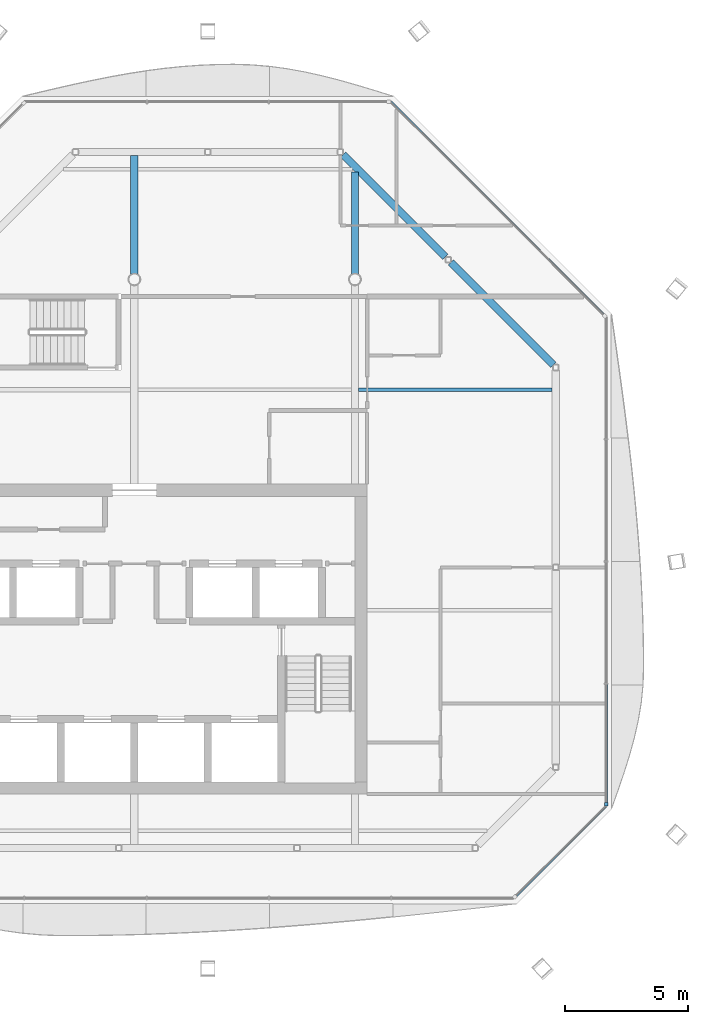
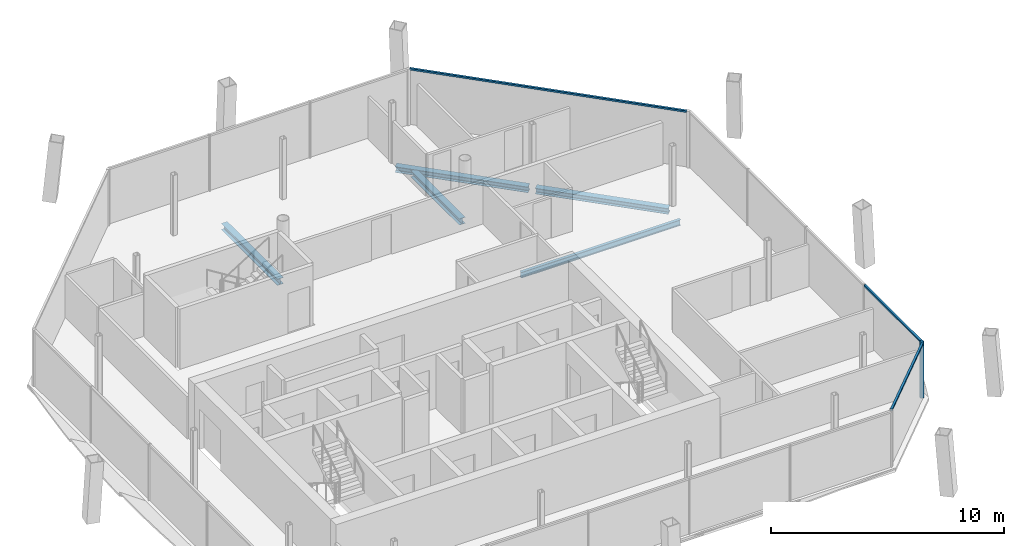
# One storey, part 6 of 14: 5 beams, 4 members, 3 elements without a shape of their own.
"""IFC4 building model written with IfcOpenShell, lengths in metres."""

from ifc_helpers import new_model, si_unit, direction, frame, origin, origin_2d, place, context, subcontext, project, spatial, rectangle, i_section, extrude, material, material_profile, profile_set, type_object, element, aggregate, save


model = new_model("IFC4")

# Units and contexts
model_context = context("Model", 3, precision=1e-05, world=origin(), true_north=direction((0.0, 1.0)))
body_context = subcontext(model_context, "Body", "Model", "MODEL_VIEW")
ifc_project = project(units=[si_unit("LENGTHUNIT", "METRE"), si_unit("AREAUNIT", "SQUARE_METRE"), si_unit("VOLUMEUNIT", "CUBIC_METRE"), si_unit("PLANEANGLEUNIT", "RADIAN"), si_unit("MASSUNIT", "GRAM", prefix="KILO")], contexts=[model_context])

# Site, building, storey
site_placement = place(None, origin())
site = spatial("IfcSite", under=ifc_project, at=site_placement, CompositionType="ELEMENT")
building_placement = place(site_placement, origin())
building = spatial("IfcBuilding", under=site, at=building_placement, Name="Tskaro Facet Tower", CompositionType="ELEMENT")
storey_placement = place(building_placement, frame((0.0, 0.0, 272.10009765625)))
storey = spatial("IfcBuildingStorey", under=building, at=storey_placement, Name="L72", CompositionType="ELEMENT", Elevation=272.10009765625)

# Curtain wall, member
ifc_material_1 = material(Name="Bronze anodised aluminium 6063-T6", Category="aluminium")
curtain_wall_type = type_object("IfcCurtainWallType", Name="Bronze residence curtain wall (FW3)", PredefinedType="NOTDEFINED", material=ifc_material_1)
curtain_wall_1_placement = place(storey_placement, origin())
curtain_wall_1 = element("IfcCurtainWall", 1, at=curtain_wall_1_placement, inside=storey, type_object=curtain_wall_type, Name="FW3 east facet L72", PredefinedType="NOTDEFINED")
ifc_material_profile_1 = material_profile(ifc_material_1, rectangle(XDim=0.139892578125, YDim=0.139892578125, at=origin_2d()), Name="Corner post 140x140")
ifc_profile_set_1 = profile_set([ifc_material_profile_1], Name="Bronze anodised aluminium 6063-T6")
member_type_1 = type_object("IfcMemberType", Name="FW3 bronze corner post 140x140", PredefinedType="MULLION", material=ifc_profile_set_1)
member_1_placement = place(storey_placement, frame((19.24609375, -12.408935546875, 0.0), z_axis=(0.0, 0.0, 1.0), x_axis=(0.0, 1.0, 0.0)))
member_1 = element("IfcMember", 2, at=member_1_placement, type_object=member_type_1, Name="FW3 east corner post", PredefinedType="MULLION", context=body_context, shape_type="SweptSolid", body=[
    extrude(rectangle(XDim=0.139892578125, YDim=0.139892578125, at=origin_2d()), origin(), (0.0, 0.0, 1.0), 2.949951171875),
])

curtain_wall_2_placement = place(storey_placement, origin())
curtain_wall_2 = element("IfcCurtainWall", 3, at=curtain_wall_2_placement, inside=storey, type_object=curtain_wall_type, Name="FW3 south-east facet L72", PredefinedType="NOTDEFINED")
ifc_material_profile_2 = material_profile(ifc_material_1, rectangle(XDim=0.10009765625, YDim=0.090087890625, at=origin_2d()), Name="Transom 100x90")
ifc_profile_set_2 = profile_set([ifc_material_profile_2], Name="Bronze anodised aluminium 6063-T6")
member_type_2 = type_object("IfcMemberType", Name="FW3 bronze transom 100x90", PredefinedType="USERDEFINED", material=ifc_profile_set_2)
member_2_placement = place(storey_placement, frame((15.577880859375, -16.14697265625, 2.90478515625), z_axis=(0.707130312586, 0.707083249004, 0.0), x_axis=(-0.707083249004, 0.707130312586, 0.0)))
member_2 = element("IfcMember", 4, at=member_2_placement, type_object=member_type_2, Name="FW3 south-east transom 1.1", ObjectType="TRANSOM", PredefinedType="USERDEFINED", context=body_context, shape_type="SweptSolid", body=[
    extrude(rectangle(XDim=0.10009765625, YDim=0.090087890625, at=origin_2d()), origin(), (0.0, 0.0, 1.0), 5.1875),
])
aggregate(curtain_wall_2, [member_2])

# Member
member_3_placement = place(storey_placement, frame((19.24609375, -12.339111328125, 2.90478515625), z_axis=(0.0, 1.0, 0.0), x_axis=(-1.0, 0.0, 0.0)))
member_3 = element("IfcMember", 5, at=member_3_placement, type_object=member_type_2, Name="FW3 east transom 1.1", ObjectType="TRANSOM", PredefinedType="USERDEFINED", context=body_context, shape_type="SweptSolid", body=[
    extrude(rectangle(XDim=0.10009765625, YDim=0.090087890625, at=origin_2d()), origin(), (0.0, 0.0, 1.0), 4.819091796875),
])

aggregate(curtain_wall_1, [member_1, member_3])

# Curtain wall, member
curtain_wall_3_placement = place(storey_placement, origin())
curtain_wall_3 = element("IfcCurtainWall", 6, at=curtain_wall_3_placement, inside=storey, type_object=curtain_wall_type, Name="FW3 north-east facet L72", PredefinedType="NOTDEFINED")
member_4_placement = place(storey_placement, frame((19.14697265625, 7.555908203125, 2.90478515625), z_axis=(-0.707096848307, 0.707116713926, 0.0), x_axis=(-0.707116713926, -0.707096848307, 0.0)))
member_4 = element("IfcMember", 7, at=member_4_placement, type_object=member_type_2, Name="FW3 north-east transom 1.1", ObjectType="TRANSOM", PredefinedType="USERDEFINED", context=body_context, shape_type="SweptSolid", body=[
    extrude(rectangle(XDim=0.10009765625, YDim=0.090087890625, at=origin_2d()), origin(), (0.0, 0.0, 1.0), 12.28955078125),
])
aggregate(curtain_wall_3, [member_4])

# Beams
ifc_material_2 = material(Name="Steel S355J2", Category="steel")
ifc_material_profile_3 = material_profile(ifc_material_2, i_section(OverallWidth=0.300048828125, OverallDepth=0.300048828125, WebThickness=0.010986328125, FlangeThickness=0.01904296875, FilletRadius=0.027099609375, at=origin_2d()), Name="HE 300 B")
ifc_profile_set_3 = profile_set([ifc_material_profile_3], Name="Steel S355J2")
beam_type_1 = type_object("IfcBeamType", Name="HE 300 B ring beam", PredefinedType="BEAM", material=ifc_profile_set_3)
for number, where, z_axis, x_axis, name in (
    (8, (17.089111328125, 5.513916015625, -0.2900390625), (-0.707024112481, 0.707189440228, 0.0), (-0.707189440228, -0.707024112481, 0.0), "HE 300 B EB7-6"),
    (9, (12.691162109375, 9.912841796875, -0.2900390625), (-0.707189440228, 0.707024112481, 0.0), (-0.707024112481, -0.707189440228, 0.0), "HE 300 B EB8-6"),
):
    element("IfcBeam", number, at=place(storey_placement, frame(where, z_axis=z_axis, x_axis=x_axis)), inside=storey, type_object=beam_type_1, Name=name, PredefinedType="BEAM", context=body_context, shape_type="SweptSolid", body=[
        extrude(i_section(OverallWidth=0.300048828125, OverallDepth=0.300048828125, WebThickness=0.010986328125, FlangeThickness=0.01904296875, FilletRadius=0.027099609375, at=origin_2d()), origin(), (0.0, 0.0, 1.0), 5.90673828125),
    ])
ifc_material_profile_4 = material_profile(ifc_material_2, i_section(OverallWidth=0.300048828125, OverallDepth=0.330078125, WebThickness=0.009521484375, FlangeThickness=0.0166015625, FilletRadius=0.027099609375, at=origin_2d()), Name="HE 340 A")
ifc_profile_set_4 = profile_set([ifc_material_profile_4], Name="Steel S355J2")
beam_type_2 = type_object("IfcBeamType", Name="HE 340 A girder", PredefinedType="BEAM", material=ifc_profile_set_4)
beam_1_placement = place(storey_placement, frame((0.0, 9.22412109375, -0.30517578125), z_axis=(0.0, 1.0, 0.0), x_axis=(-1.0, 0.0, 0.0)))
element("IfcBeam", 10, at=beam_1_placement, inside=storey, type_object=beam_type_2, Name="HE 340 A GB4-3-6", PredefinedType="BEAM", context=body_context, shape_type="SweptSolid", body=[
    extrude(i_section(OverallWidth=0.300048828125, OverallDepth=0.330078125, WebThickness=0.009521484375, FlangeThickness=0.0166015625, FilletRadius=0.027099609375, at=origin_2d()), origin(), (0.0, 0.0, 1.0), 4.825927734375),
])
beam_2_placement = place(storey_placement, frame((9.0, 9.22412109375, -0.30517578125), z_axis=(0.0, 1.0, 0.0), x_axis=(-1.0, 0.0, 0.0)))
element("IfcBeam", 11, at=beam_2_placement, inside=storey, type_object=beam_type_2, Name="HE 340 A GB5-3-6", PredefinedType="BEAM", context=body_context, shape_type="SweptSolid", body=[
    extrude(i_section(OverallWidth=0.300048828125, OverallDepth=0.330078125, WebThickness=0.009521484375, FlangeThickness=0.0166015625, FilletRadius=0.027099609375, at=origin_2d()), origin(), (0.0, 0.0, 1.0), 4.1669921875),
])
ifc_material_profile_5 = material_profile(ifc_material_2, i_section(OverallWidth=0.14990234375, OverallDepth=0.300048828125, WebThickness=0.007080078125, FlangeThickness=0.0107421875, FilletRadius=0.014892578125, at=origin_2d()), Name="IPE 300")
ifc_profile_set_5 = profile_set([ifc_material_profile_5], Name="Steel S355J2")
beam_type_3 = type_object("IfcBeamType", Name="IPE 300 secondary beam", PredefinedType="BEAM", material=ifc_profile_set_5)
beam_3_placement = place(storey_placement, frame((9.14990234375, 4.5, -0.2900390625), z_axis=(1.0, 0.0, 0.0), x_axis=(0.0, 1.0, 0.0)))
element("IfcBeam", 12, at=beam_3_placement, inside=storey, type_object=beam_type_3, Name="IPE 300 SB4a-3-6", PredefinedType="BEAM", context=body_context, shape_type="SweptSolid", body=[
    extrude(i_section(OverallWidth=0.14990234375, OverallDepth=0.300048828125, WebThickness=0.007080078125, FlangeThickness=0.0107421875, FilletRadius=0.014892578125, at=origin_2d()), origin(), (0.0, 0.0, 1.0), 7.900146484375),
])

save(model, "model.ifc")
